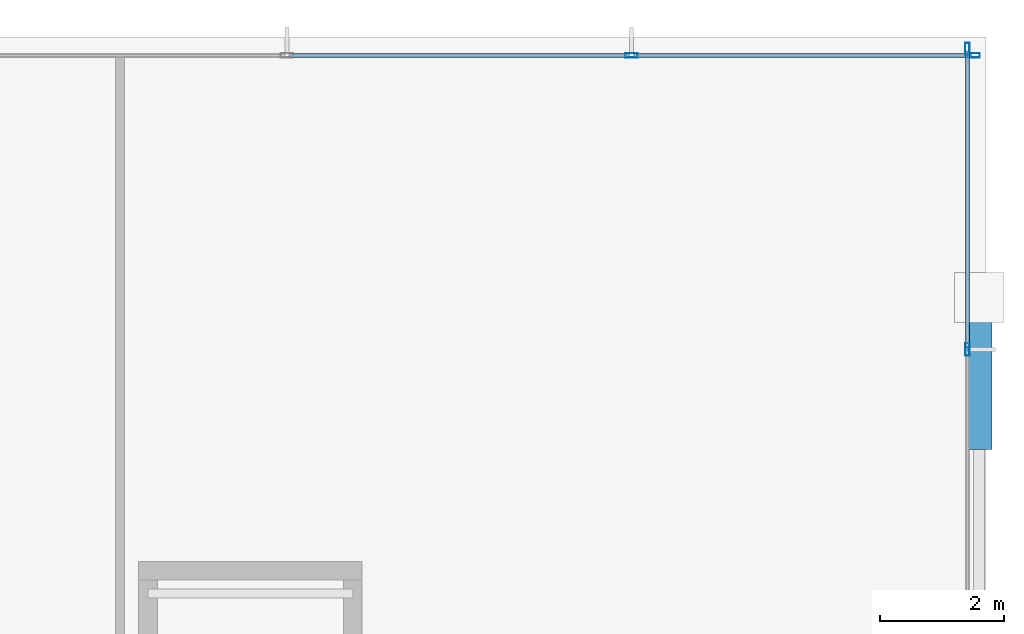
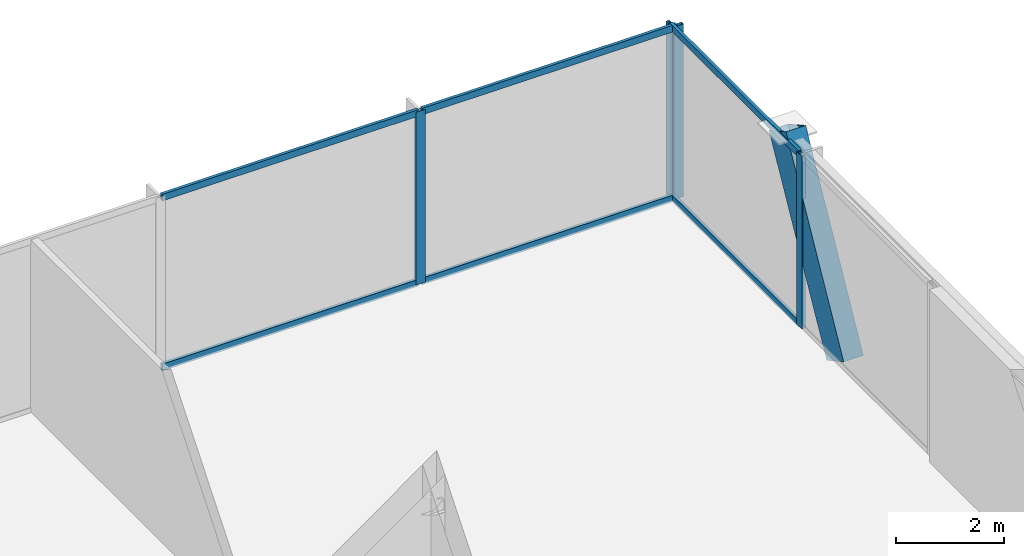
# One storey, part 35 of 46: 11 members, 2 elements without a shape of their own.
"""IFC4 building model written with IfcOpenShell, lengths in metres."""

from ifc_helpers import new_model, si_unit, direction, frame, origin, origin_2d, place, context, subcontext, project, spatial, hollow_rectangle, extrude, material, layer, layer_set, material_profile, profile_set, type_object, element, aggregate, save


model = new_model("IFC4")

# Units and contexts
model_context = context("Model", 3, precision=1e-05, world=origin(), true_north=direction((0.0, 1.0)))
body_context = subcontext(model_context, "Body", "Model", "MODEL_VIEW")
ifc_project = project(units=[si_unit("LENGTHUNIT", "METRE"), si_unit("AREAUNIT", "SQUARE_METRE"), si_unit("VOLUMEUNIT", "CUBIC_METRE"), si_unit("PLANEANGLEUNIT", "RADIAN"), si_unit("MASSUNIT", "GRAM", prefix="KILO")], contexts=[model_context])

# Site, building, storey
site_placement = place(None, origin())
site = spatial("IfcSite", under=ifc_project, at=site_placement, CompositionType="ELEMENT")
building_placement = place(site_placement, origin())
building = spatial("IfcBuilding", under=site, at=building_placement, Name="Orvanel Arch Residences", CompositionType="ELEMENT")
storey_placement = place(building_placement, frame((0.0, 0.0, 14.10009765625)))
storey = spatial("IfcBuildingStorey", under=building, at=storey_placement, Name="L03", CompositionType="ELEMENT", Elevation=14.10009765625)

# Member
ifc_material_1 = material(Name="Structural steel AS/NZS 3678 Grade 350", Category="steel")
ifc_material_profile_1 = material_profile(ifc_material_1, hollow_rectangle(XDim=0.419921875, YDim=0.719970703125, WallThickness=0.02490234375, at=origin_2d()), Name="RHS720x420x25")
ifc_profile_set_1 = profile_set([ifc_material_profile_1], Name="Structural steel AS/NZS 3678 Grade 350")
member_type_1 = type_object("IfcMemberType", Name="BR-720RHS-EXT", PredefinedType="BRACE", material=ifc_profile_set_1)
member_1_placement = place(storey_placement, frame((64.639892578125, 48.216064453125, 0.0), z_axis=(0.0, 0.480032945873, 0.877250460745), x_axis=(-1.0, 0.0, 0.0)))
element("IfcMember", 1, at=member_1_placement, inside=storey, type_object=member_type_1, Name="L03 Podium Multi-Storey V-Strut Pair E2 Leg 2", PredefinedType="BRACE", context=body_context, shape_type="SweptSolid", body=[
    extrude(hollow_rectangle(XDim=0.419921875, YDim=0.719970703125, WallThickness=0.02490234375, at=origin_2d()), origin(), (0.0, 0.0, 1.0), 4.445556640625),
])

# Curtain wall, members
ifc_material_2 = material(Name="Bronze-anodised aluminium AA6063-T6", Category="aluminium")
ifc_layer = layer(ifc_material_2, 0.199951171875)
ifc_layer_set = layer_set([ifc_layer], Name="Bronze-anodised aluminium AA6063-T6")
curtain_wall_type = type_object("IfcCurtainWallType", Name="CW1-POD-SYS", PredefinedType="NOTDEFINED", material=ifc_layer_set)
curtain_wall_1_placement = place(storey_placement, origin())
curtain_wall_1 = element("IfcCurtainWall", 2, at=curtain_wall_1_placement, inside=storey, type_object=curtain_wall_type, Name="L03 CW1-POD-SYS Unitised Curtain Wall", PredefinedType="NOTDEFINED")
ifc_material_profile_2 = material_profile(ifc_material_2, hollow_rectangle(XDim=0.074951171875, YDim=0.199951171875, WallThickness=0.0048828125, at=origin_2d()), Name="ALU200x75x5")
ifc_profile_set_2 = profile_set([ifc_material_profile_2], Name="Bronze-anodised aluminium AA6063-T6")
member_type_2 = type_object("IfcMemberType", Name="MUL-200x75", PredefinedType="MULLION", material=ifc_profile_set_2)
member_2_placement = place(storey_placement, frame((64.552490234375, 54.25, 0.0), z_axis=(0.0, 0.0, 1.0), x_axis=(0.0, -1.0, 0.0)))
member_2 = element("IfcMember", 3, at=member_2_placement, type_object=member_type_2, Name="CW-S1 mullion 1", PredefinedType="MULLION", context=body_context, shape_type="SweptSolid", body=[
    extrude(hollow_rectangle(XDim=0.074951171875, YDim=0.199951171875, WallThickness=0.0048828125, at=origin_2d()), origin(), (0.0, 0.0, 1.0), 3.89990234375),
])
member_3_placement = place(storey_placement, frame((59.0400390625, 54.25, 0.0), z_axis=(0.0, 0.0, 1.0), x_axis=(0.0, -1.0, 0.0)))
member_3 = element("IfcMember", 4, at=member_3_placement, type_object=member_type_2, Name="CW-S1 mullion 2", PredefinedType="MULLION", context=body_context, shape_type="SweptSolid", body=[
    extrude(hollow_rectangle(XDim=0.074951171875, YDim=0.199951171875, WallThickness=0.0048828125, at=origin_2d()), origin(), (0.0, 0.0, 1.0), 3.89990234375),
])

curtain_wall_2_placement = place(storey_placement, origin())
curtain_wall_2 = element("IfcCurtainWall", 5, at=curtain_wall_2_placement, inside=storey, type_object=curtain_wall_type, Name="L03 CW1-POD-SYS Unitised Curtain Wall", PredefinedType="NOTDEFINED")
member_4_placement = place(storey_placement, frame((64.449951171875, 49.514892578125, 0.0), z_axis=(0.0, 0.0, 1.0), x_axis=(-1.0, 0.0, 0.0)))
member_4 = element("IfcMember", 6, at=member_4_placement, type_object=member_type_2, Name="CW-S1 mullion 2", PredefinedType="MULLION", context=body_context, shape_type="SweptSolid", body=[
    extrude(hollow_rectangle(XDim=0.074951171875, YDim=0.199951171875, WallThickness=0.0048828125, at=origin_2d()), origin(), (0.0, 0.0, 1.0), 3.89990234375),
])
member_5_placement = place(storey_placement, frame((64.449951171875, 54.3525390625, 0.0), z_axis=(0.0, 0.0, 1.0), x_axis=(-1.0, 0.0, 0.0)))
member_5 = element("IfcMember", 7, at=member_5_placement, type_object=member_type_2, Name="CW-S1 mullion 3", PredefinedType="MULLION", context=body_context, shape_type="SweptSolid", body=[
    extrude(hollow_rectangle(XDim=0.074951171875, YDim=0.199951171875, WallThickness=0.0048828125, at=origin_2d()), origin(), (0.0, 0.0, 1.0), 3.89990234375),
])

# Member
ifc_material_profile_3 = material_profile(ifc_material_2, hollow_rectangle(XDim=0.06494140625, YDim=0.14990234375, WallThickness=0.00390625, at=origin_2d()), Name="ALU150x65x4")
ifc_profile_set_3 = profile_set([ifc_material_profile_3], Name="Bronze-anodised aluminium AA6063-T6")
member_type_3 = type_object("IfcMemberType", Name="TRN-150x65", PredefinedType="USERDEFINED", material=ifc_profile_set_3)
member_6_placement = place(storey_placement, frame((64.514892578125, 54.25, 0.032470703125), z_axis=(-1.0, 0.0, 0.0), x_axis=(0.0, -1.0, 0.0)))
member_6 = element("IfcMember", 8, at=member_6_placement, type_object=member_type_3, Name="CW-S1 transom 1.1", ObjectType="TRANSOM", PredefinedType="USERDEFINED", context=body_context, shape_type="SweptSolid", body=[
    extrude(hollow_rectangle(XDim=0.06494140625, YDim=0.14990234375, WallThickness=0.00390625, at=origin_2d()), origin(), (0.0, 0.0, 1.0), 5.4375),
])

member_7_placement = place(storey_placement, frame((64.514892578125, 54.25, 3.867431640625), z_axis=(-1.0, 0.0, 0.0), x_axis=(0.0, -1.0, 0.0)))
member_7 = element("IfcMember", 9, at=member_7_placement, type_object=member_type_3, Name="CW-S1 transom 1.2", ObjectType="TRANSOM", PredefinedType="USERDEFINED", context=body_context, shape_type="SweptSolid", body=[
    extrude(hollow_rectangle(XDim=0.06494140625, YDim=0.14990234375, WallThickness=0.00390625, at=origin_2d()), origin(), (0.0, 0.0, 1.0), 5.4375),
])

member_8_placement = place(storey_placement, frame((59.00244140625, 54.25, 0.032470703125), z_axis=(-1.0, 0.0, 0.0), x_axis=(0.0, -1.0, 0.0)))
member_8 = element("IfcMember", 10, at=member_8_placement, type_object=member_type_3, Name="CW-S1 transom 2.1", ObjectType="TRANSOM", PredefinedType="USERDEFINED", context=body_context, shape_type="SweptSolid", body=[
    extrude(hollow_rectangle(XDim=0.06494140625, YDim=0.14990234375, WallThickness=0.00390625, at=origin_2d()), origin(), (0.0, 0.0, 1.0), 5.474853515625),
])

member_9_placement = place(storey_placement, frame((59.00244140625, 54.25, 3.867431640625), z_axis=(-1.0, 0.0, 0.0), x_axis=(0.0, -1.0, 0.0)))
member_9 = element("IfcMember", 11, at=member_9_placement, type_object=member_type_3, Name="CW-S1 transom 2.2", ObjectType="TRANSOM", PredefinedType="USERDEFINED", context=body_context, shape_type="SweptSolid", body=[
    extrude(hollow_rectangle(XDim=0.06494140625, YDim=0.14990234375, WallThickness=0.00390625, at=origin_2d()), origin(), (0.0, 0.0, 1.0), 5.474853515625),
])

aggregate(curtain_wall_1, [member_2, member_3, member_6, member_7, member_8, member_9])

member_10_placement = place(storey_placement, frame((64.449951171875, 49.552490234375, 0.032470703125), z_axis=(0.0, 1.0, 0.0), x_axis=(-1.0, 0.0, 0.0)))
member_10 = element("IfcMember", 12, at=member_10_placement, type_object=member_type_3, Name="CW-S1 transom 2.1", ObjectType="TRANSOM", PredefinedType="USERDEFINED", context=body_context, shape_type="SweptSolid", body=[
    extrude(hollow_rectangle(XDim=0.06494140625, YDim=0.14990234375, WallThickness=0.00390625, at=origin_2d()), origin(), (0.0, 0.0, 1.0), 4.762451171875),
])

member_11_placement = place(storey_placement, frame((64.449951171875, 49.552490234375, 3.867431640625), z_axis=(0.0, 1.0, 0.0), x_axis=(-1.0, 0.0, 0.0)))
member_11 = element("IfcMember", 13, at=member_11_placement, type_object=member_type_3, Name="CW-S1 transom 2.2", ObjectType="TRANSOM", PredefinedType="USERDEFINED", context=body_context, shape_type="SweptSolid", body=[
    extrude(hollow_rectangle(XDim=0.06494140625, YDim=0.14990234375, WallThickness=0.00390625, at=origin_2d()), origin(), (0.0, 0.0, 1.0), 4.762451171875),
])

aggregate(curtain_wall_2, [member_4, member_5, member_10, member_11])

save(model, "model.ifc")
